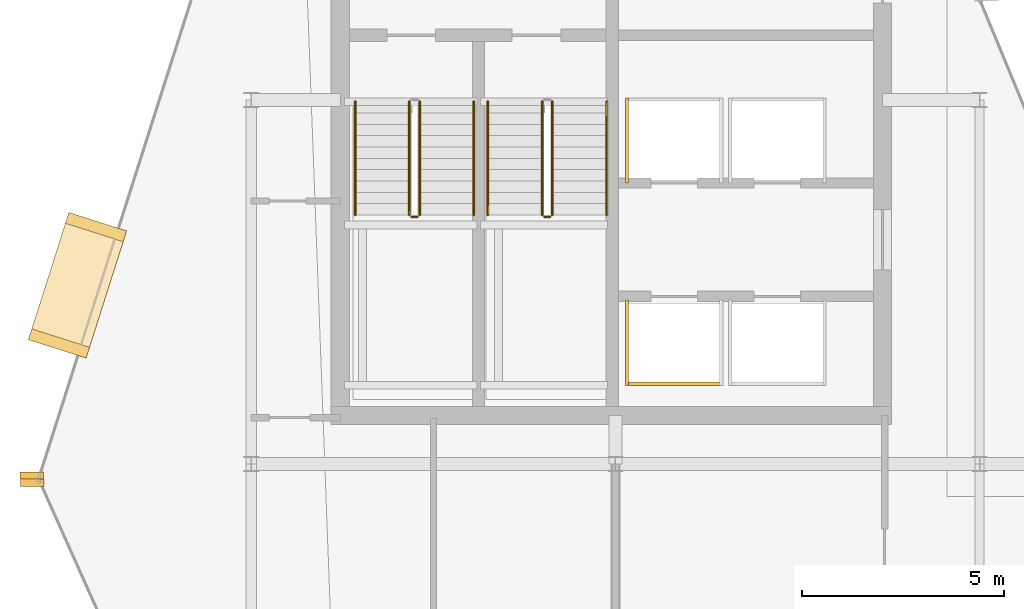
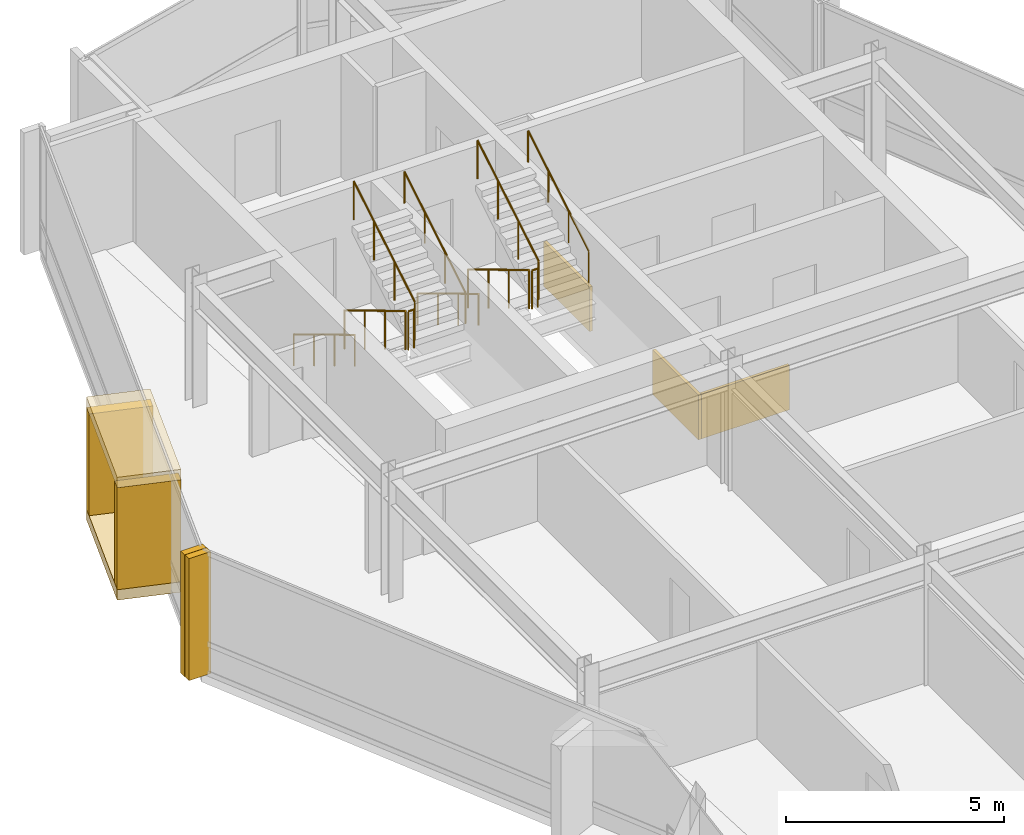
# One storey, part 17 of 19: 10 railings, 9 coverings.
"""IFC4 building model written with IfcOpenShell, lengths in metres."""

from ifc_helpers import new_model, si_unit, direction, frame, origin, origin_2d, place, context, subcontext, project, spatial, rectangle, circle, extrude, material, layer, layer_set, type_object, element, save


model = new_model("IFC4")

# Units and contexts
model_context = context("Model", 3, precision=1e-05, world=origin(), true_north=direction((0.0, 1.0)))
body_context = subcontext(model_context, "Body", "Model", "MODEL_VIEW")
ifc_project = project(units=[si_unit("LENGTHUNIT", "METRE"), si_unit("AREAUNIT", "SQUARE_METRE"), si_unit("VOLUMEUNIT", "CUBIC_METRE"), si_unit("PLANEANGLEUNIT", "RADIAN"), si_unit("MASSUNIT", "GRAM", prefix="KILO")], contexts=[model_context])

# Site, building, storey
site_placement = place(None, origin())
site = spatial("IfcSite", under=ifc_project, at=site_placement, CompositionType="ELEMENT")
building_placement = place(site_placement, origin())
building = spatial("IfcBuilding", under=site, at=building_placement, Name="Solvaryn Broadcast Tower", CompositionType="ELEMENT")
storey_placement = place(building_placement, frame((0.0, 0.0, 290.0)))
storey = spatial("IfcBuildingStorey", under=building, at=storey_placement, Name="L73", CompositionType="ELEMENT", Elevation=290.0)

# Coverings
ifc_material_1 = material(Name="Fire-Rated Gypsum Shaftwall Liner", Category="concrete")
ifc_layer_1 = layer(ifc_material_1, 0.080078125)
ifc_layer_set_1 = layer_set([ifc_layer_1], Name="CV-SHAFT-LINER")
covering_type_1 = type_object("IfcCoveringType", Name="CV-SHAFT-LINER", PredefinedType="CLADDING", material=ifc_layer_set_1)
covering_placement = place(storey_placement, frame((19.449951171875, 28.985107421875, 0.0), z_axis=(0.0, 0.0, 1.0), x_axis=(1.0, 0.0, 0.0)))
element("IfcCovering", 1, at=covering_placement, inside=storey, type_object=covering_type_1, Name="L73 PH1 Hoistway Shaft Liner South", PredefinedType="CLADDING", context=body_context, shape_type="SweptSolid", body=[
    extrude(rectangle(XDim=2.409912109375, YDim=0.080078125, at=origin_2d()), origin(), (0.0, 0.0, 1.0), 1.25),
])
for number, where, z_axis, x_axis, name in (
    (2, (18.284912109375, 30.0, 0.0), (0.0, 0.0, 1.0), (1.0, 0.0, 0.0), "L73 PH1 Hoistway Shaft Liner West"),
    (3, (18.284912109375, 35.0, 0.0), (0.0, 0.0, 1.0), (1.0, 0.0, 0.0), "L73 PH3 Hoistway Shaft Liner West"),
):
    element("IfcCovering", number, at=place(storey_placement, frame(where, z_axis=z_axis, x_axis=x_axis)), inside=storey, type_object=covering_type_1, Name=name, PredefinedType="CLADDING", context=body_context, shape_type="SweptSolid", body=[
        extrude(rectangle(XDim=0.080078125, YDim=2.110107421875, at=origin_2d()), origin(), (0.0, 0.0, 1.0), 1.25),
    ])
ifc_material_2 = material(Name="Glazed Architectural Terracotta Rainscreen Cladding", Category="masonry")
ifc_layer_2 = layer(ifc_material_2, 0.280029296875)
ifc_layer_set_2 = layer_set([ifc_layer_2], Name="CV-TC-CLAD")
covering_type_2 = type_object("IfcCoveringType", Name="CV-TC-CLAD", PredefinedType="CLADDING", material=ifc_layer_set_2)
for number, where, z_axis, x_axis, name in (
    (4, (4.7060546875, 31.4208984375, 3.1298828125), (0.0, 0.0, 1.0), (-0.303534206887, -0.952820541996, 0.0), "L73 Projecting Stone Window Box Hood 1"),
    (5, (4.7060546875, 31.4208984375, -0.01025390625), (0.0, 0.0, 1.0), (-0.303534206887, -0.952820541996, 0.0), "L73 Projecting Stone Window Box Sill 1"),
):
    element("IfcCovering", number, at=place(storey_placement, frame(where, z_axis=z_axis, x_axis=x_axis)), inside=storey, type_object=covering_type_2, Name=name, PredefinedType="CLADDING", context=body_context, shape_type="SweptSolid", body=[
        extrude(rectangle(XDim=3.300048828125, YDim=1.5, at=origin_2d()), origin(), (0.0, 0.0, 1.0), 0.300048828125),
    ])
for number, where, z_axis, x_axis, name in (
    (6, (5.164306640625, 32.85986328125, 0.27978515625), (0.0, 0.0, 1.0), (-0.303534206887, -0.952820541996, 0.0), "L73 Projecting Stone Window Box Cheek 1-1"),
    (7, (4.247802734375, 29.982177734375, 0.27978515625), (0.0, 0.0, 1.0), (-0.303534206887, -0.952820541996, 0.0), "L73 Projecting Stone Window Box Cheek 1-2"),
):
    element("IfcCovering", number, at=place(storey_placement, frame(where, z_axis=z_axis, x_axis=x_axis)), inside=storey, type_object=covering_type_2, Name=name, PredefinedType="CLADDING", context=body_context, shape_type="SweptSolid", body=[
        extrude(rectangle(XDim=0.280029296875, YDim=1.5, at=origin_2d()), origin(), (0.0, 0.0, 1.0), 2.860107421875),
    ])
ifc_material_3 = material(Name="Extruded Architectural Terracotta Fin", Category="masonry")
ifc_layer_3 = layer(ifc_material_3, 0.179931640625)
ifc_layer_set_3 = layer_set([ifc_layer_3], Name="CV-TC-FIN")
covering_type_3 = type_object("IfcCoveringType", Name="CV-TC-FIN", PredefinedType="USERDEFINED", material=ifc_layer_set_3)
for number, where, z_axis, x_axis, name in (
    (8, (3.575439453125, 26.71923828125, 0.0), (0.0, 0.0, 1.0), (1.0, 0.0, 0.0), "L73 Terracotta Vertical Fin FIN-L73-DR1-M01"),
    (9, (3.5859375, 26.53515625, 0.0), (0.0, 0.0, 1.0), (1.0, 0.0, 0.0), "L73 Terracotta Vertical Fin FIN-L73-DR2-M00"),
):
    element("IfcCovering", number, at=place(storey_placement, frame(where, z_axis=z_axis, x_axis=x_axis)), inside=storey, type_object=covering_type_3, Name=name, ObjectType="FIN", PredefinedType="USERDEFINED", context=body_context, shape_type="SweptSolid", body=[
        extrude(rectangle(XDim=0.580078125, YDim=0.179931640625, at=origin_2d()), origin(), (0.0, 0.0, 1.0), 3.419921875),
    ])

# Railings
ifc_material_4 = material(Name="Painted Steel Stair Well Guard", Category="steel")
railing_type_1 = type_object("IfcRailingType", Name="RL-STAIR-GUARD", PredefinedType="BALUSTRADE", material=ifc_material_4)
railing_1_placement = place(storey_placement, frame((12.909912109375, 35.9599609375, 0.168212890625)))
element("IfcRailing", 10, at=railing_1_placement, inside=storey, type_object=railing_type_1, Name="L73 ST1 stair guard 1", PredefinedType="BALUSTRADE", context=body_context, shape_type="SweptSolid", body=[
    extrude(circle(Radius=0.02392578125, at=origin_2d()), frame((0.0, 0.0, 1.076171875), z_axis=(0.0, -0.857242210791, 0.514913383045), x_axis=(1.0, 0.0, 0.0)), (0.0, 0.0, 1.0), 3.266357421875),
    extrude(circle(Radius=0.02099609375, at=origin_2d()), origin(), (0.0, 0.0, 1.0), 1.052001953125),
    extrude(circle(Radius=0.02099609375, at=origin_2d()), frame((0.0, -0.933349609375, 0.560546875)), (0.0, 0.0, 1.0), 1.052001953125),
    extrude(circle(Radius=0.02099609375, at=origin_2d()), frame((0.0, -1.86669921875, 1.121337890625)), (0.0, 0.0, 1.0), 1.052001953125),
    extrude(circle(Radius=0.02099609375, at=origin_2d()), frame((0.0, -2.800048828125, 1.681884765625)), (0.0, 0.0, 1.0), 1.052001953125),
])
railing_2_placement = place(storey_placement, frame((12.9599609375, 33.110107421875, 1.85009765625)))
element("IfcRailing", 11, at=railing_2_placement, inside=storey, type_object=railing_type_1, Name="L73 ST1 stair guard 2", PredefinedType="BALUSTRADE", context=body_context, shape_type="SweptSolid", body=[
    extrude(circle(Radius=0.02392578125, at=origin_2d()), frame((0.0, 0.0, 1.076171875), z_axis=(1.0, 0.0, 0.0), x_axis=(0.0, 1.0, 0.0)), (0.0, 0.0, 1.0), 0.150146484375),
    extrude(circle(Radius=0.02099609375, at=origin_2d()), origin(), (0.0, 0.0, 1.0), 1.052001953125),
    extrude(circle(Radius=0.02099609375, at=origin_2d()), frame((0.150146484375, 0.0, 0.0)), (0.0, 0.0, 1.0), 1.052001953125),
])
railing_3_placement = place(storey_placement, frame((13.159912109375, 33.159912109375, 2.01806640625)))
element("IfcRailing", 12, at=railing_3_placement, inside=storey, type_object=railing_type_1, Name="L73 ST1 stair guard 3", PredefinedType="BALUSTRADE", context=body_context, shape_type="SweptSolid", body=[
    extrude(circle(Radius=0.02392578125, at=origin_2d()), frame((0.0, 0.0, 1.076171875), z_axis=(0.0, 0.857242210791, 0.514913383045), x_axis=(-1.0, 0.0, 0.0)), (0.0, 0.0, 1.0), 3.266357421875),
    extrude(circle(Radius=0.02099609375, at=origin_2d()), origin(), (0.0, 0.0, 1.0), 1.052001953125),
    extrude(circle(Radius=0.02099609375, at=origin_2d()), frame((0.0, 0.933349609375, 0.560546875)), (0.0, 0.0, 1.0), 1.052001953125),
    extrude(circle(Radius=0.02099609375, at=origin_2d()), frame((0.0, 1.86669921875, 1.121337890625)), (0.0, 0.0, 1.0), 1.052001953125),
    extrude(circle(Radius=0.02099609375, at=origin_2d()), frame((0.0, 2.800048828125, 1.681884765625)), (0.0, 0.0, 1.0), 1.052001953125),
])
railing_4_placement = place(storey_placement, frame((16.18994140625, 35.9599609375, 0.168212890625)))
element("IfcRailing", 13, at=railing_4_placement, inside=storey, type_object=railing_type_1, Name="L73 ST2 stair guard 1", PredefinedType="BALUSTRADE", context=body_context, shape_type="SweptSolid", body=[
    extrude(circle(Radius=0.02392578125, at=origin_2d()), frame((0.0, 0.0, 1.076171875), z_axis=(0.0, -0.857242210791, 0.514913383045), x_axis=(1.0, 0.0, 0.0)), (0.0, 0.0, 1.0), 3.266357421875),
    extrude(circle(Radius=0.02099609375, at=origin_2d()), origin(), (0.0, 0.0, 1.0), 1.052001953125),
    extrude(circle(Radius=0.02099609375, at=origin_2d()), frame((0.0, -0.933349609375, 0.560546875)), (0.0, 0.0, 1.0), 1.052001953125),
    extrude(circle(Radius=0.02099609375, at=origin_2d()), frame((0.0, -1.86669921875, 1.121337890625)), (0.0, 0.0, 1.0), 1.052001953125),
    extrude(circle(Radius=0.02099609375, at=origin_2d()), frame((0.0, -2.800048828125, 1.681884765625)), (0.0, 0.0, 1.0), 1.052001953125),
])
railing_5_placement = place(storey_placement, frame((16.239990234375, 33.110107421875, 1.85009765625)))
element("IfcRailing", 14, at=railing_5_placement, inside=storey, type_object=railing_type_1, Name="L73 ST2 stair guard 2", PredefinedType="BALUSTRADE", context=body_context, shape_type="SweptSolid", body=[
    extrude(circle(Radius=0.02392578125, at=origin_2d()), frame((0.0, 0.0, 1.076171875), z_axis=(1.0, 0.0, 0.0), x_axis=(0.0, 1.0, 0.0)), (0.0, 0.0, 1.0), 0.14990234375),
    extrude(circle(Radius=0.02099609375, at=origin_2d()), origin(), (0.0, 0.0, 1.0), 1.052001953125),
    extrude(circle(Radius=0.02099609375, at=origin_2d()), frame((0.14990234375, 0.0, 0.0)), (0.0, 0.0, 1.0), 1.052001953125),
])
railing_6_placement = place(storey_placement, frame((16.43994140625, 33.159912109375, 2.01806640625)))
element("IfcRailing", 15, at=railing_6_placement, inside=storey, type_object=railing_type_1, Name="L73 ST2 stair guard 3", PredefinedType="BALUSTRADE", context=body_context, shape_type="SweptSolid", body=[
    extrude(circle(Radius=0.02392578125, at=origin_2d()), frame((0.0, 0.0, 1.076171875), z_axis=(0.0, 0.857242210791, 0.514913383045), x_axis=(-1.0, 0.0, 0.0)), (0.0, 0.0, 1.0), 3.266357421875),
    extrude(circle(Radius=0.02099609375, at=origin_2d()), origin(), (0.0, 0.0, 1.0), 1.052001953125),
    extrude(circle(Radius=0.02099609375, at=origin_2d()), frame((0.0, 0.933349609375, 0.560546875)), (0.0, 0.0, 1.0), 1.052001953125),
    extrude(circle(Radius=0.02099609375, at=origin_2d()), frame((0.0, 1.86669921875, 1.121337890625)), (0.0, 0.0, 1.0), 1.052001953125),
    extrude(circle(Radius=0.02099609375, at=origin_2d()), frame((0.0, 2.800048828125, 1.681884765625)), (0.0, 0.0, 1.0), 1.052001953125),
])
ifc_material_5 = material(Name="Brushed Stainless Steel Tubular Handrail", Category="steel")
railing_type_2 = type_object("IfcRailingType", Name="RL-STAIR-HANDRAIL", PredefinedType="HANDRAIL", material=ifc_material_5)
railing_7_placement = place(storey_placement, frame((11.570068359375, 35.9599609375, 0.168212890625)))
element("IfcRailing", 16, at=railing_7_placement, inside=storey, type_object=railing_type_2, Name="L73 ST1 stair handrail 1", PredefinedType="HANDRAIL", context=body_context, shape_type="SweptSolid", body=[
    extrude(circle(Radius=0.02392578125, at=origin_2d()), frame((0.0, 0.0, 0.8759765625), z_axis=(0.0, -0.857242210791, 0.514913383045), x_axis=(1.0, 0.0, 0.0)), (0.0, 0.0, 1.0), 3.266357421875),
    extrude(circle(Radius=0.02099609375, at=origin_2d()), origin(), (0.0, 0.0, 1.0), 0.851806640625),
    extrude(circle(Radius=0.02099609375, at=origin_2d()), frame((0.0, -0.933349609375, 0.560546875)), (0.0, 0.0, 1.0), 0.851806640625),
    extrude(circle(Radius=0.02099609375, at=origin_2d()), frame((0.0, -1.86669921875, 1.121337890625)), (0.0, 0.0, 1.0), 0.851806640625),
    extrude(circle(Radius=0.02099609375, at=origin_2d()), frame((0.0, -2.800048828125, 1.681884765625)), (0.0, 0.0, 1.0), 0.851806640625),
])
railing_8_placement = place(storey_placement, frame((14.5, 33.159912109375, 2.01806640625)))
element("IfcRailing", 17, at=railing_8_placement, inside=storey, type_object=railing_type_2, Name="L73 ST1 stair handrail 2", PredefinedType="HANDRAIL", context=body_context, shape_type="SweptSolid", body=[
    extrude(circle(Radius=0.02392578125, at=origin_2d()), frame((0.0, 0.0, 0.8759765625), z_axis=(0.0, 0.857242210791, 0.514913383045), x_axis=(-1.0, 0.0, 0.0)), (0.0, 0.0, 1.0), 3.266357421875),
    extrude(circle(Radius=0.02099609375, at=origin_2d()), origin(), (0.0, 0.0, 1.0), 0.851806640625),
    extrude(circle(Radius=0.02099609375, at=origin_2d()), frame((0.0, 0.933349609375, 0.560546875)), (0.0, 0.0, 1.0), 0.851806640625),
    extrude(circle(Radius=0.02099609375, at=origin_2d()), frame((0.0, 1.86669921875, 1.121337890625)), (0.0, 0.0, 1.0), 0.851806640625),
    extrude(circle(Radius=0.02099609375, at=origin_2d()), frame((0.0, 2.800048828125, 1.681884765625)), (0.0, 0.0, 1.0), 0.851806640625),
])
railing_9_placement = place(storey_placement, frame((14.85009765625, 35.9599609375, 0.168212890625)))
element("IfcRailing", 18, at=railing_9_placement, inside=storey, type_object=railing_type_2, Name="L73 ST2 stair handrail 1", PredefinedType="HANDRAIL", context=body_context, shape_type="SweptSolid", body=[
    extrude(circle(Radius=0.02392578125, at=origin_2d()), frame((0.0, 0.0, 0.8759765625), z_axis=(0.0, -0.857242210791, 0.514913383045), x_axis=(1.0, 0.0, 0.0)), (0.0, 0.0, 1.0), 3.266357421875),
    extrude(circle(Radius=0.02099609375, at=origin_2d()), origin(), (0.0, 0.0, 1.0), 0.851806640625),
    extrude(circle(Radius=0.02099609375, at=origin_2d()), frame((0.0, -0.933349609375, 0.560546875)), (0.0, 0.0, 1.0), 0.851806640625),
    extrude(circle(Radius=0.02099609375, at=origin_2d()), frame((0.0, -1.86669921875, 1.121337890625)), (0.0, 0.0, 1.0), 0.851806640625),
    extrude(circle(Radius=0.02099609375, at=origin_2d()), frame((0.0, -2.800048828125, 1.681884765625)), (0.0, 0.0, 1.0), 0.851806640625),
])
railing_10_placement = place(storey_placement, frame((17.780029296875, 33.159912109375, 2.01806640625)))
element("IfcRailing", 19, at=railing_10_placement, inside=storey, type_object=railing_type_2, Name="L73 ST2 stair handrail 2", PredefinedType="HANDRAIL", context=body_context, shape_type="SweptSolid", body=[
    extrude(circle(Radius=0.02392578125, at=origin_2d()), frame((0.0, 0.0, 0.8759765625), z_axis=(0.0, 0.857242210791, 0.514913383045), x_axis=(-1.0, 0.0, 0.0)), (0.0, 0.0, 1.0), 3.266357421875),
    extrude(circle(Radius=0.02099609375, at=origin_2d()), origin(), (0.0, 0.0, 1.0), 0.851806640625),
    extrude(circle(Radius=0.02099609375, at=origin_2d()), frame((0.0, 0.933349609375, 0.560546875)), (0.0, 0.0, 1.0), 0.851806640625),
    extrude(circle(Radius=0.02099609375, at=origin_2d()), frame((0.0, 1.86669921875, 1.121337890625)), (0.0, 0.0, 1.0), 0.851806640625),
    extrude(circle(Radius=0.02099609375, at=origin_2d()), frame((0.0, 2.800048828125, 1.681884765625)), (0.0, 0.0, 1.0), 0.851806640625),
])

save(model, "model.ifc")
